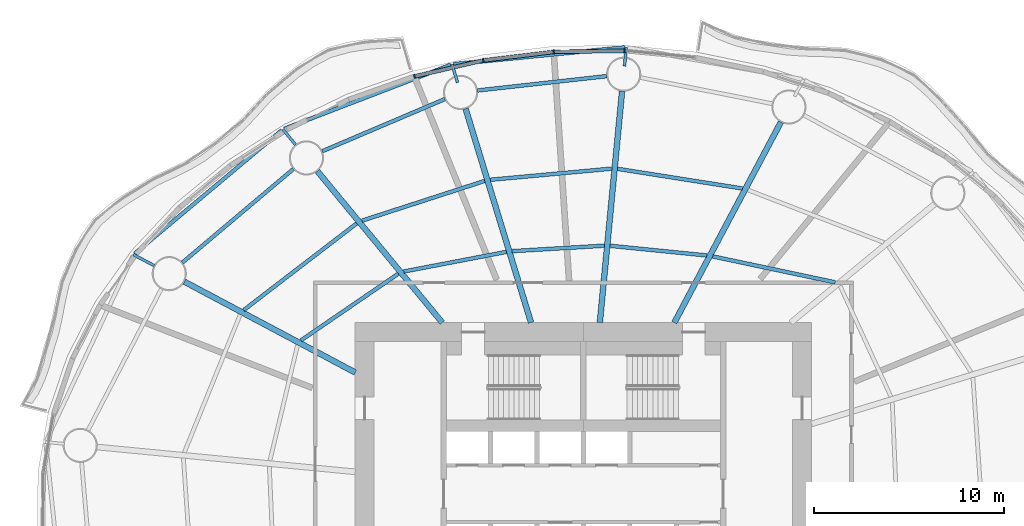
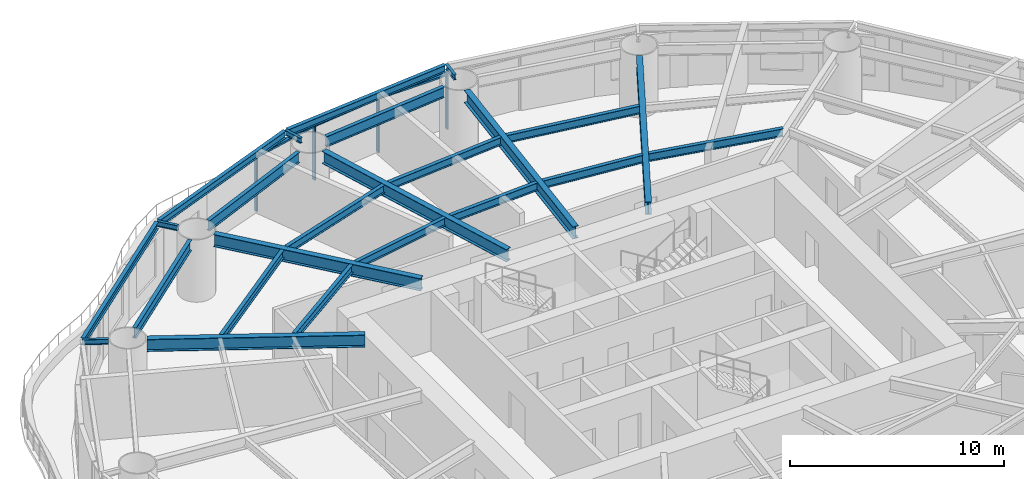
# One storey, part 5 of 16: 24 beams, 7 members, 3 elements without a shape of their own.
"""IFC4 building model written with IfcOpenShell, lengths in metres."""

from ifc_helpers import new_model, si_unit, direction, frame, origin, origin_2d, place, context, subcontext, project, spatial, rectangle, i_section, extrude, material, material_profile, profile_set, type_object, element, aggregate, save


model = new_model("IFC4")

# Units and contexts
model_context = context("Model", 3, precision=1e-05, world=origin(), true_north=direction((0.0, 1.0)))
body_context = subcontext(model_context, "Body", "Model", "MODEL_VIEW")
ifc_project = project(units=[si_unit("LENGTHUNIT", "METRE"), si_unit("AREAUNIT", "SQUARE_METRE"), si_unit("VOLUMEUNIT", "CUBIC_METRE"), si_unit("PLANEANGLEUNIT", "RADIAN"), si_unit("MASSUNIT", "GRAM", prefix="KILO")], contexts=[model_context])

# Site, building, storey
site_placement = place(None, origin())
site = spatial("IfcSite", under=ifc_project, at=site_placement, CompositionType="ELEMENT")
building_placement = place(site_placement, origin())
building = spatial("IfcBuilding", under=site, at=building_placement, Name="Vermilion Reach Broadcast Tower", CompositionType="ELEMENT")
storey_placement = place(building_placement, frame((0.0, 0.0, 50.800048828125)))
storey = spatial("IfcBuildingStorey", under=building, at=storey_placement, Name="L09", CompositionType="ELEMENT", Elevation=50.800048828125)

# Beams
ifc_material_1 = material(Name="Steel S355J2", Category="steel")
ifc_material_profile_1 = material_profile(ifc_material_1, i_section(OverallWidth=0.199951171875, OverallDepth=0.39990234375, WebThickness=0.008056640625, FlangeThickness=0.012939453125, at=origin_2d()), Name="S355J2 HN 400x200x8x13")
ifc_profile_set_1 = profile_set([ifc_material_profile_1], Name="Steel S355J2")
beam_type_1 = type_object("IfcBeamType", Name="EB1 HN 400x200x8x13", PredefinedType="BEAM", material=ifc_profile_set_1)
beam_1_placement = place(storey_placement, frame((-3.819091796875, 23.474609375, 3.349853515625), z_axis=(-0.995240835219, -0.097445779348, 0.0), x_axis=(0.097445779348, -0.995240835219, 0.0)))
element("IfcBeam", 1, at=beam_1_placement, inside=storey, type_object=beam_type_1, Name="Edge beam EB1-04", PredefinedType="BEAM", context=body_context, shape_type="SweptSolid", body=[
    extrude(i_section(OverallWidth=0.199951171875, OverallDepth=0.39990234375, WebThickness=0.008056640625, FlangeThickness=0.012939453125, at=origin_2d()), origin(), (0.0, 0.0, 1.0), 9.05712890625),
])
beam_2_placement = place(storey_placement, frame((-12.979248046875, 22.5576171875, 3.349853515625), z_axis=(-0.933411362204, -0.35880806695, 0.0), x_axis=(0.35880806695, -0.933411362204, 0.0)))
element("IfcBeam", 2, at=beam_2_placement, inside=storey, type_object=beam_type_1, Name="Edge beam EB1-05", PredefinedType="BEAM", context=body_context, shape_type="SweptSolid", body=[
    extrude(i_section(OverallWidth=0.199951171875, OverallDepth=0.39990234375, WebThickness=0.008056640625, FlangeThickness=0.012939453125, at=origin_2d()), origin(), (0.0, 0.0, 1.0), 9.37548828125),
])
beam_3_placement = place(storey_placement, frame((-21.861572265625, 19.116943359375, 3.349853515625), z_axis=(-0.766311705025, -0.642468964809, 0.0), x_axis=(0.642468964809, -0.766311705025, 0.0)))
element("IfcBeam", 3, at=beam_3_placement, inside=storey, type_object=beam_type_1, Name="Edge beam EB1-06", PredefinedType="BEAM", context=body_context, shape_type="SweptSolid", body=[
    extrude(i_section(OverallWidth=0.199951171875, OverallDepth=0.39990234375, WebThickness=0.008056640625, FlangeThickness=0.012939453125, at=origin_2d()), origin(), (0.0, 0.0, 1.0), 10.099365234375),
])
ifc_material_2 = material(Name="Steel S355J2", Category="steel")
ifc_material_profile_2 = material_profile(ifc_material_2, i_section(OverallWidth=0.300048828125, OverallDepth=0.699951171875, WebThickness=0.012939453125, FlangeThickness=0.02392578125, at=origin_2d()), Name="S355J2 HN 700x300x13x24")
ifc_profile_set_2 = profile_set([ifc_material_profile_2], Name="Steel S355J2")
beam_type_2 = type_object("IfcBeamType", Name="G1 HN 700x300x13x24", PredefinedType="BEAM", material=ifc_profile_set_2)
beam_4_placement = place(storey_placement, frame((-1.216552734375, 9.0, 3.199951171875), z_axis=(0.469312182262, 0.883032318537, 0.0), x_axis=(-0.883032318537, 0.469312182262, 0.0)))
element("IfcBeam", 4, at=beam_4_placement, inside=storey, type_object=beam_type_2, Name="Girder G1-03", PredefinedType="BEAM", context=body_context, shape_type="SweptSolid", body=[
    extrude(i_section(OverallWidth=0.300048828125, OverallDepth=0.699951171875, WebThickness=0.012939453125, FlangeThickness=0.02392578125, at=origin_2d()), origin(), (0.0, 0.0, 1.0), 11.94091796875),
])
beam_5_placement = place(storey_placement, frame((-5.135009765625, 9.0, 3.199951171875), z_axis=(0.09566673912, 0.995413419151, 0.0), x_axis=(-0.995413419151, 0.09566673912, 0.0)))
element("IfcBeam", 5, at=beam_5_placement, inside=storey, type_object=beam_type_2, Name="Girder G1-04", PredefinedType="BEAM", context=body_context, shape_type="SweptSolid", body=[
    extrude(i_section(OverallWidth=0.300048828125, OverallDepth=0.699951171875, WebThickness=0.012939453125, FlangeThickness=0.02392578125, at=origin_2d()), origin(), (0.0, 0.0, 1.0), 12.22412109375),
])
beam_6_placement = place(storey_placement, frame((-8.753173828125, 9.0, 3.199951171875), z_axis=(-0.292542302886, 0.95625258223, 0.0), x_axis=(-0.95625258223, -0.292542302886, 0.0)))
element("IfcBeam", 6, at=beam_6_placement, inside=storey, type_object=beam_type_2, Name="Girder G1-05", PredefinedType="BEAM", context=body_context, shape_type="SweptSolid", body=[
    extrude(i_section(OverallWidth=0.300048828125, OverallDepth=0.699951171875, WebThickness=0.012939453125, FlangeThickness=0.02392578125, at=origin_2d()), origin(), (0.0, 0.0, 1.0), 11.76220703125),
])
beam_7_placement = place(storey_placement, frame((-13.421630859375, 9.0, 3.199951171875), z_axis=(-0.636215165107, 0.77151167437, 0.0), x_axis=(-0.77151167437, -0.636215165107, 0.0)))
element("IfcBeam", 7, at=beam_7_placement, inside=storey, type_object=beam_type_2, Name="Girder G1-06", PredefinedType="BEAM", context=body_context, shape_type="SweptSolid", body=[
    extrude(i_section(OverallWidth=0.300048828125, OverallDepth=0.699951171875, WebThickness=0.012939453125, FlangeThickness=0.02392578125, at=origin_2d()), origin(), (0.0, 0.0, 1.0), 10.3251953125),
])
beam_8_placement = place(storey_placement, frame((-18.0, 6.3779296875, 3.199951171875), z_axis=(-0.883032139419, 0.469312519279, 0.0), x_axis=(-0.469312519279, -0.883032139419, 0.0)))
element("IfcBeam", 8, at=beam_8_placement, inside=storey, type_object=beam_type_2, Name="Girder G1-07", PredefinedType="BEAM", context=body_context, shape_type="SweptSolid", body=[
    extrude(i_section(OverallWidth=0.300048828125, OverallDepth=0.699951171875, WebThickness=0.012939453125, FlangeThickness=0.02392578125, at=origin_2d()), origin(), (0.0, 0.0, 1.0), 10.17529296875),
])
ifc_material_3 = material(Name="Steel S355J2", Category="steel")
ifc_material_profile_3 = material_profile(ifc_material_3, i_section(OverallWidth=0.14990234375, OverallDepth=0.300048828125, WebThickness=0.006591796875, FlangeThickness=0.009033203125, at=origin_2d()), Name="S355J2 HN 300x150x6.5x9")
ifc_profile_set_3 = profile_set([ifc_material_profile_3], Name="Steel S355J2")
beam_type_3 = type_object("IfcBeamType", Name="GS1 HN 300x150x6.5x9", PredefinedType="BEAM", material=ifc_profile_set_3)
for number, where, z_axis, x_axis, name in (
    (9, (-3.8388671875, 22.486572265625, 3.39990234375), (0.095707754417, 0.995409476419, 0.0), (-0.995409476419, 0.095707754417, 0.0), "Cantilever stub GS1-04"),
    (10, (-12.616455078125, 21.628173828125, 3.39990234375), (-0.292696051594, 0.956205533022, 0.0), (-0.956205533022, -0.292696051594, 0.0), "Cantilever stub GS1-05"),
):
    element("IfcBeam", number, at=place(storey_placement, frame(where, z_axis=z_axis, x_axis=x_axis)), inside=storey, type_object=beam_type_3, Name=name, PredefinedType="BEAM", context=body_context, shape_type="SweptSolid", body=[
        extrude(i_section(OverallWidth=0.14990234375, OverallDepth=0.300048828125, WebThickness=0.006591796875, FlangeThickness=0.009033203125, at=origin_2d()), origin(), (0.0, 0.0, 1.0), 1.0),
    ])
beam_9_placement = place(storey_placement, frame((-21.1357421875, 18.354736328125, 3.39990234375), z_axis=(-0.63624467714, 0.77148733678, 0.0), x_axis=(-0.77148733678, -0.63624467714, 0.0)))
element("IfcBeam", 11, at=beam_9_placement, inside=storey, type_object=beam_type_3, Name="Cantilever stub GS1-06", PredefinedType="BEAM", context=body_context, shape_type="SweptSolid", body=[
    extrude(i_section(OverallWidth=0.14990234375, OverallDepth=0.300048828125, WebThickness=0.006591796875, FlangeThickness=0.009033203125, at=origin_2d()), origin(), (0.0, 0.0, 1.0), 1.050537109375),
])
beam_10_placement = place(storey_placement, frame((-28.574462890625, 11.998046875, 3.39990234375), z_axis=(-0.883059290006, 0.469261430692, 0.0), x_axis=(-0.469261430692, -0.883059290006, 0.0)))
element("IfcBeam", 12, at=beam_10_placement, inside=storey, type_object=beam_type_3, Name="Cantilever stub GS1-07", PredefinedType="BEAM", context=body_context, shape_type="SweptSolid", body=[
    extrude(i_section(OverallWidth=0.14990234375, OverallDepth=0.300048828125, WebThickness=0.006591796875, FlangeThickness=0.009033203125, at=origin_2d()), origin(), (0.0, 0.0, 1.0), 1.232421875),
])
ifc_material_4 = material(Name="Steel S355J2", Category="steel")
ifc_material_profile_4 = material_profile(ifc_material_4, i_section(OverallWidth=0.199951171875, OverallDepth=0.60009765625, WebThickness=0.010986328125, FlangeThickness=0.01708984375, at=origin_2d()), Name="S355J2 HN 600x200x11x17")
ifc_profile_set_4 = profile_set([ifc_material_profile_4], Name="Steel S355J2")
beam_type_4 = type_object("IfcBeamType", Name="RB1 HN 600x200x11x17", PredefinedType="BEAM", material=ifc_profile_set_4)
beam_11_placement = place(storey_placement, frame((-4.77392578125, 21.964111328125, 3.25), z_axis=(-0.993851439324, -0.110721798009, 0.0), x_axis=(0.110721798009, -0.993851439324, 0.0)))
element("IfcBeam", 13, at=beam_11_placement, inside=storey, type_object=beam_type_4, Name="Ring beam RB1-04", PredefinedType="BEAM", context=body_context, shape_type="SweptSolid", body=[
    extrude(i_section(OverallWidth=0.199951171875, OverallDepth=0.60009765625, WebThickness=0.010986328125, FlangeThickness=0.01708984375, at=origin_2d()), origin(), (0.0, 0.0, 1.0), 6.8310546875),
])
beam_12_placement = place(storey_placement, frame((-13.28564453125, 20.755859375, 3.25), z_axis=(-0.920220846584, -0.391399531825, 0.0), x_axis=(0.391399531825, -0.920220846584, 0.0)))
element("IfcBeam", 14, at=beam_12_placement, inside=storey, type_object=beam_type_4, Name="Ring beam RB1-05", PredefinedType="BEAM", context=body_context, shape_type="SweptSolid", body=[
    extrude(i_section(OverallWidth=0.199951171875, OverallDepth=0.60009765625, WebThickness=0.010986328125, FlangeThickness=0.01708984375, at=origin_2d()), origin(), (0.0, 0.0, 1.0), 7.008544921875),
])
beam_13_placement = place(storey_placement, frame((-21.251220703125, 17.080322265625, 3.25), z_axis=(-0.764512441084, -0.6446089725, 0.0), x_axis=(0.6446089725, -0.764512441084, 0.0)))
element("IfcBeam", 15, at=beam_13_placement, inside=storey, type_object=beam_type_4, Name="Ring beam RB1-06", PredefinedType="BEAM", context=body_context, shape_type="SweptSolid", body=[
    extrude(i_section(OverallWidth=0.199951171875, OverallDepth=0.60009765625, WebThickness=0.010986328125, FlangeThickness=0.01708984375, at=origin_2d()), origin(), (0.0, 0.0, 1.0), 7.6396484375),
])
ifc_material_5 = material(Name="Steel S355J2", Category="steel")
ifc_material_profile_5 = material_profile(ifc_material_5, i_section(OverallWidth=0.199951171875, OverallDepth=0.449951171875, WebThickness=0.009033203125, FlangeThickness=0.013916015625, at=origin_2d()), Name="S355J2 HN 450x200x9x14")
ifc_profile_set_5 = profile_set([ifc_material_profile_5], Name="Steel S355J2")
beam_type_5 = type_object("IfcBeamType", Name="SB1 HN 450x200x9x14", PredefinedType="BEAM", material=ifc_profile_set_5)
beam_14_placement = place(storey_placement, frame((7.24560546875, 11.1171875, 3.324951171875), z_axis=(-0.978270372412, 0.207333254596, 0.0), x_axis=(-0.207333254596, -0.978270372412, 0.0)))
element("IfcBeam", 16, at=beam_14_placement, inside=storey, type_object=beam_type_5, Name="Secondary beam SB1-02-1", PredefinedType="BEAM", context=body_context, shape_type="SweptSolid", body=[
    extrude(i_section(OverallWidth=0.199951171875, OverallDepth=0.449951171875, WebThickness=0.009033203125, FlangeThickness=0.013916015625, at=origin_2d()), origin(), (0.0, 0.0, 1.0), 6.584716796875),
])
beam_15_placement = place(storey_placement, frame((0.490234375, 12.531005859375, 3.324951171875), z_axis=(-0.995010199331, 0.099773259079, 0.0), x_axis=(-0.099773259079, -0.995010199331, 0.0)))
element("IfcBeam", 17, at=beam_15_placement, inside=storey, type_object=beam_type_5, Name="Secondary beam SB1-03-1", PredefinedType="BEAM", context=body_context, shape_type="SweptSolid", body=[
    extrude(i_section(OverallWidth=0.199951171875, OverallDepth=0.449951171875, WebThickness=0.009033203125, FlangeThickness=0.013916015625, at=origin_2d()), origin(), (0.0, 0.0, 1.0), 5.111572265625),
])
beam_16_placement = place(storey_placement, frame((2.36279296875, 16.05419921875, 3.324951171875), z_axis=(-0.987829548379, 0.155540294938, 0.0), x_axis=(-0.155540294938, -0.987829548379, 0.0)))
element("IfcBeam", 18, at=beam_16_placement, inside=storey, type_object=beam_type_5, Name="Secondary beam SB1-03-2", PredefinedType="BEAM", context=body_context, shape_type="SweptSolid", body=[
    extrude(i_section(OverallWidth=0.199951171875, OverallDepth=0.449951171875, WebThickness=0.009033203125, FlangeThickness=0.013916015625, at=origin_2d()), origin(), (0.0, 0.0, 1.0), 6.650634765625),
])
beam_17_placement = place(storey_placement, frame((-4.896728515625, 13.046875, 3.324951171875), z_axis=(-0.99823410974, -0.059402543307, 0.0), x_axis=(0.059402543307, -0.99823410974, 0.0)))
element("IfcBeam", 19, at=beam_17_placement, inside=storey, type_object=beam_type_5, Name="Secondary beam SB1-04-1", PredefinedType="BEAM", context=body_context, shape_type="SweptSolid", body=[
    extrude(i_section(OverallWidth=0.199951171875, OverallDepth=0.449951171875, WebThickness=0.009033203125, FlangeThickness=0.013916015625, at=origin_2d()), origin(), (0.0, 0.0, 1.0), 4.85791015625),
])
beam_18_placement = place(storey_placement, frame((-4.50732421875, 17.09814453125, 3.324951171875), z_axis=(-0.995818616382, -0.091352521952, 0.0), x_axis=(0.091352521952, -0.995818616382, 0.0)))
element("IfcBeam", 20, at=beam_18_placement, inside=storey, type_object=beam_type_5, Name="Secondary beam SB1-04-2", PredefinedType="BEAM", context=body_context, shape_type="SweptSolid", body=[
    extrude(i_section(OverallWidth=0.199951171875, OverallDepth=0.449951171875, WebThickness=0.009033203125, FlangeThickness=0.013916015625, at=origin_2d()), origin(), (0.0, 0.0, 1.0), 6.4140625),
])
beam_19_placement = place(storey_placement, frame((-10.04833984375, 12.720703125, 3.324951171875), z_axis=(-0.982151348822, -0.188092339045, 0.0), x_axis=(0.188092339045, -0.982151348822, 0.0)))
element("IfcBeam", 21, at=beam_19_placement, inside=storey, type_object=beam_type_5, Name="Secondary beam SB1-05-1", PredefinedType="BEAM", context=body_context, shape_type="SweptSolid", body=[
    extrude(i_section(OverallWidth=0.199951171875, OverallDepth=0.449951171875, WebThickness=0.009033203125, FlangeThickness=0.013916015625, at=origin_2d()), origin(), (0.0, 0.0, 1.0), 5.4931640625),
])
beam_20_placement = place(storey_placement, frame((-11.18994140625, 16.4521484375, 3.324951171875), z_axis=(-0.951332300844, -0.308166924523, 0.0), x_axis=(0.308166924523, -0.951332300844, 0.0)))
element("IfcBeam", 22, at=beam_20_placement, inside=storey, type_object=beam_type_5, Name="Secondary beam SB1-05-2", PredefinedType="BEAM", context=body_context, shape_type="SweptSolid", body=[
    extrude(i_section(OverallWidth=0.199951171875, OverallDepth=0.449951171875, WebThickness=0.009033203125, FlangeThickness=0.013916015625, at=origin_2d()), origin(), (0.0, 0.0, 1.0), 6.787841796875),
])
beam_21_placement = place(storey_placement, frame((-15.735595703125, 11.5703125, 3.324951171875), z_axis=(-0.825140253447, -0.564927926502, 0.0), x_axis=(0.564927926502, -0.825140253447, 0.0)))
element("IfcBeam", 23, at=beam_21_placement, inside=storey, type_object=beam_type_5, Name="Secondary beam SB1-06-1", PredefinedType="BEAM", context=body_context, shape_type="SweptSolid", body=[
    extrude(i_section(OverallWidth=0.199951171875, OverallDepth=0.449951171875, WebThickness=0.009033203125, FlangeThickness=0.013916015625, at=origin_2d()), origin(), (0.0, 0.0, 1.0), 6.20458984375),
])
beam_22_placement = place(storey_placement, frame((-17.920166015625, 14.21923828125, 3.324951171875), z_axis=(-0.793349617473, -0.60876628065, 0.0), x_axis=(0.60876628065, -0.793349617473, 0.0)))
element("IfcBeam", 24, at=beam_22_placement, inside=storey, type_object=beam_type_5, Name="Secondary beam SB1-06-2", PredefinedType="BEAM", context=body_context, shape_type="SweptSolid", body=[
    extrude(i_section(OverallWidth=0.199951171875, OverallDepth=0.449951171875, WebThickness=0.009033203125, FlangeThickness=0.013916015625, at=origin_2d()), origin(), (0.0, 0.0, 1.0), 7.486328125),
])

# Curtain wall, member
ifc_material_6 = material(Name="Low-e laminated clear glass in aluminium frame", Category="aluminium")
curtain_wall_type = type_object("IfcCurtainWallType", Name="Slot curtain wall", PredefinedType="NOTDEFINED", material=ifc_material_6)
placement = place(storey_placement, origin())
curtain_wall_1 = element("IfcCurtainWall", 25, at=placement, inside=storey, type_object=curtain_wall_type, Name="Slot curtain wall L09 11", PredefinedType="NOTDEFINED")
ifc_material_7 = material(Name="Anodised aluminium", Category="aluminium")
ifc_material_profile_6 = material_profile(ifc_material_7, rectangle(XDim=0.199951171875, YDim=0.080078125, at=origin_2d()), Name="Slot mullion 80 x 200")
ifc_profile_set_6 = profile_set([ifc_material_profile_6], Name="Anodised aluminium")
member_type_1 = type_object("IfcMemberType", Name="Slot mullion 80 x 200", PredefinedType="MULLION", material=ifc_profile_set_6)
member_1_placement = place(storey_placement, frame((-3.8291015625, 23.2900390625, 0.0), z_axis=(0.0, 0.0, 1.0), x_axis=(-0.040584070495, -0.999176127228, 0.0)))
member_1 = element("IfcMember", 26, at=member_1_placement, type_object=member_type_1, Name="Slot mullion L09 11", PredefinedType="MULLION", context=body_context, shape_type="SweptSolid", body=[
    extrude(rectangle(XDim=0.199951171875, YDim=0.080078125, at=origin_2d()), origin(), (0.0, 0.0, 1.0), 3.14990234375),
])

curtain_wall_2 = element("IfcCurtainWall", 27, at=placement, inside=storey, type_object=curtain_wall_type, Name="Slot curtain wall L09 12", PredefinedType="NOTDEFINED")
member_2_placement = place(storey_placement, frame((-7.559814453125, 23.240234375, 0.0), z_axis=(0.0, 0.0, 1.0), x_axis=(0.066970553298, -0.997754952376, 0.0)))
member_2 = element("IfcMember", 28, at=member_2_placement, type_object=member_type_1, Name="Slot mullion L09 12", PredefinedType="MULLION", context=body_context, shape_type="SweptSolid", body=[
    extrude(rectangle(XDim=0.199951171875, YDim=0.080078125, at=origin_2d()), origin(), (0.0, 0.0, 1.0), 3.14990234375),
])

# Curtain wall, members
curtain_wall_3 = element("IfcCurtainWall", 29, at=placement, inside=storey, type_object=curtain_wall_type, Name="Slot curtain wall L09 13", PredefinedType="NOTDEFINED")
member_3_placement = place(storey_placement, frame((-11.263916015625, 22.791015625, 0.0), z_axis=(0.0, 0.0, 1.0), x_axis=(0.173750169925, -0.98478976358, 0.0)))
member_3 = element("IfcMember", 30, at=member_3_placement, type_object=member_type_1, Name="Slot mullion L09 13", PredefinedType="MULLION", context=body_context, shape_type="SweptSolid", body=[
    extrude(rectangle(XDim=0.199951171875, YDim=0.080078125, at=origin_2d()), origin(), (0.0, 0.0, 1.0), 3.14990234375),
])
member_4_placement = place(storey_placement, frame((-14.877197265625, 21.9501953125, 0.0), z_axis=(0.0, 0.0, 1.0), x_axis=(0.279678211479, -0.960093796472, 0.0)))
member_4 = element("IfcMember", 31, at=member_4_placement, type_object=member_type_1, Name="Slot mullion L09 14", PredefinedType="MULLION", context=body_context, shape_type="SweptSolid", body=[
    extrude(rectangle(XDim=0.199951171875, YDim=0.080078125, at=origin_2d()), origin(), (0.0, 0.0, 1.0), 3.14990234375),
])

# Member
ifc_material_8 = material(Name="Anodised aluminium", Category="aluminium")
ifc_material_profile_7 = material_profile(ifc_material_8, rectangle(XDim=0.199951171875, YDim=0.10009765625, at=origin_2d()), Name="Slot transom 200 x 100")
ifc_profile_set_7 = profile_set([ifc_material_profile_7], Name="Anodised aluminium")
member_type_2 = type_object("IfcMemberType", Name="Slot transom 200 x 100", PredefinedType="USERDEFINED", material=ifc_profile_set_7)
member_5_placement = place(storey_placement, frame((-3.869140625, 23.28955078125, 3.099853515625), z_axis=(-0.999910575404, -0.013373152005, 0.0), x_axis=(0.013373152005, -0.999910575404, 0.0)))
member_5 = element("IfcMember", 32, at=member_5_placement, type_object=member_type_2, Name="Slot transom L09 11.1", ObjectType="TRANSOM", PredefinedType="USERDEFINED", context=body_context, shape_type="SweptSolid", body=[
    extrude(rectangle(XDim=0.199951171875, YDim=0.10009765625, at=origin_2d()), origin(), (0.0, 0.0, 1.0), 3.651123046875),
])

aggregate(curtain_wall_1, [member_1, member_5])

member_6_placement = place(storey_placement, frame((-7.599609375, 23.2353515625, 3.099853515625), z_axis=(-0.992729908592, -0.120363319107, 0.0), x_axis=(0.120363319107, -0.992729908592, 0.0)))
member_6 = element("IfcMember", 33, at=member_6_placement, type_object=member_type_2, Name="Slot transom L09 12.1", ObjectType="TRANSOM", PredefinedType="USERDEFINED", context=body_context, shape_type="SweptSolid", body=[
    extrude(rectangle(XDim=0.199951171875, YDim=0.10009765625, at=origin_2d()), origin(), (0.0, 0.0, 1.0), 3.651123046875),
])

aggregate(curtain_wall_2, [member_2, member_6])

member_7_placement = place(storey_placement, frame((-11.302978515625, 22.781982421875, 3.099853515625), z_axis=(-0.973984898834, -0.22661292294, 0.0), x_axis=(0.22661292294, -0.973984898834, 0.0)))
member_7 = element("IfcMember", 34, at=member_7_placement, type_object=member_type_2, Name="Slot transom L09 13.1", ObjectType="TRANSOM", PredefinedType="USERDEFINED", context=body_context, shape_type="SweptSolid", body=[
    extrude(rectangle(XDim=0.199951171875, YDim=0.10009765625, at=origin_2d()), origin(), (0.0, 0.0, 1.0), 3.629638671875),
])

aggregate(curtain_wall_3, [member_3, member_4, member_7])

save(model, "model.ifc")
